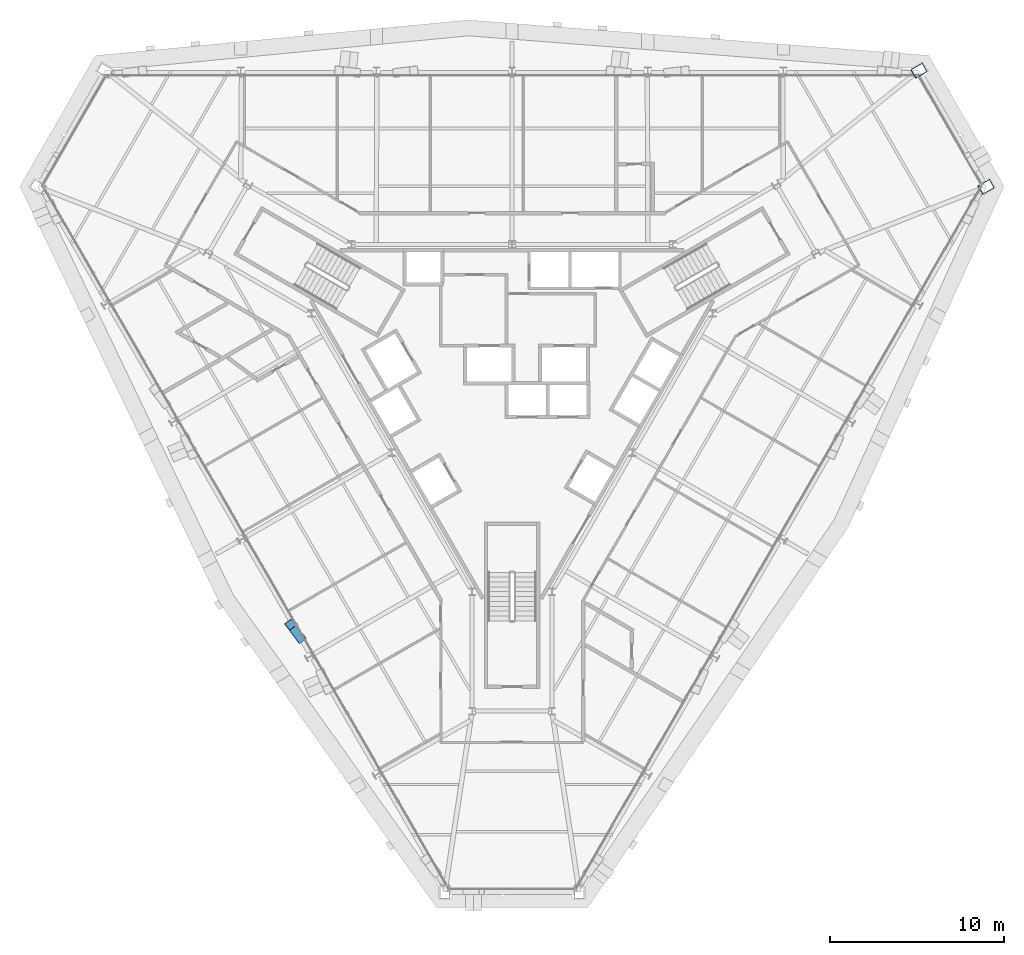
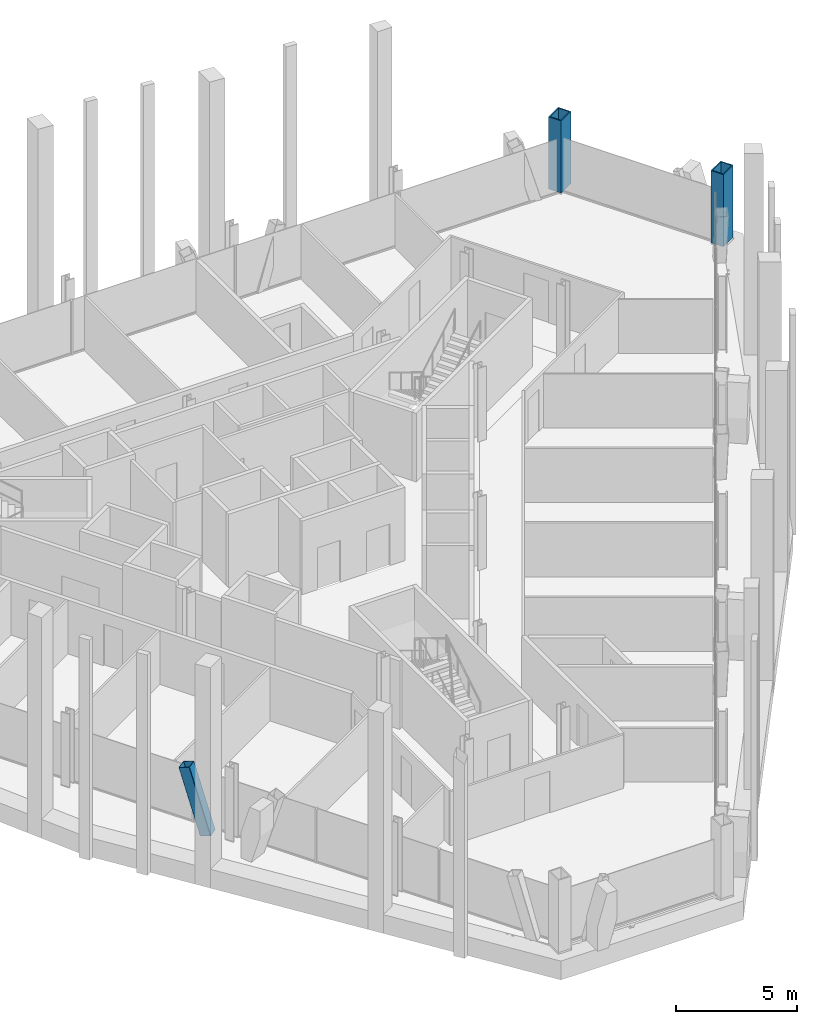
# One storey, part 2 of 17: 2 columns, 1 member.
"""IFC4 building model written with IfcOpenShell, lengths in metres."""

import ifcopenshell
import ifcopenshell.guid

model = None  # the IFC model being written
_history = None  # IfcOwnerHistory: only IFC2X3 demands one
_inside = {}  # id of a spatial element -> (the spatial element, [elements in it])
_under = {}  # id of a project, library or spatial element -> (it, [spatial elements below it])
_declared = {}  # id of a project -> (the project, [libraries it declares])
_typed = {}  # id of a type object -> (the type object, [elements of that type])
_made_of = {}  # id of a material, layer set ... -> (it, [elements and type objects made of it])


def new_model(schema):
    """Start an empty IFC model of exactly this schema.

    Asked for "IFC4X3", IfcOpenShell would pick the latest addendum, in which some entities
    have other attributes; the version numbers below select the first issue.
    IFC2X3 requires an IfcOwnerHistory on every rooted entity: one is made here for all.
    """
    global model, _history
    if schema == "IFC4X3":
        model = ifcopenshell.file(schema_version=(4, 3, 0, 0))
    else:
        model = ifcopenshell.file(schema=schema)
    _inside.clear()
    _under.clear()
    _declared.clear()
    _typed.clear()
    _made_of.clear()
    _history = None
    if model.schema == "IFC2X3":
        org = make("IfcOrganization", Name="unknown")
        user = make(
            "IfcPersonAndOrganization",
            ThePerson=make("IfcPerson", FamilyName="unknown"),
            TheOrganization=org,
        )
        app = make(
            "IfcApplication",
            ApplicationDeveloper=org,
            Version="unknown",
            ApplicationFullName="unknown",
            ApplicationIdentifier="unknown",
        )
        _history = make(
            "IfcOwnerHistory",
            OwningUser=user,
            OwningApplication=app,
            ChangeAction="ADDED",
            CreationDate=0,
        )
    return model


def make(cls, **values):
    """One entity of the class cls with the attributes given. An attribute that is None is left unset."""
    return model.create_entity(
        cls, **{name: value for name, value in values.items() if value is not None}
    )


def rooted(cls, **values):
    """An entity with a GlobalId (a new one), such as an element, a storey or a relation."""
    return make(cls, GlobalId=ifcopenshell.guid.new(), OwnerHistory=_history, **values)


def si_unit(unit_type, name, prefix=None):
    """IfcSIUnit, for example si_unit("LENGTHUNIT", "METRE", prefix="MILLI")."""
    return make("IfcSIUnit", UnitType=unit_type, Prefix=prefix, Name=name)


def assignment(units):
    """IfcUnitAssignment: the units of a project."""
    return None if units is None else make("IfcUnitAssignment", Units=units)


def point(xyz):
    """IfcCartesianPoint."""
    return None if xyz is None else make("IfcCartesianPoint", Coordinates=xyz)


def direction(xyz):
    """IfcDirection."""
    return None if xyz is None else make("IfcDirection", DirectionRatios=xyz)


def frame(location, z_axis=None, x_axis=None):
    """IfcAxis2Placement3D, a coordinate frame: its origin and axes. An axis left out is left unset."""
    return make(
        "IfcAxis2Placement3D",
        Location=point(location),
        Axis=direction(z_axis),
        RefDirection=direction(x_axis),
    )


def frame_2d(location, x_axis=None):
    """IfcAxis2Placement2D, a coordinate frame in the plane: its origin and x axis."""
    return make(
        "IfcAxis2Placement2D", Location=point(location), RefDirection=direction(x_axis)
    )


def origin():
    """The frame at (0, 0, 0) with its axes left unset."""
    return frame((0.0, 0.0, 0.0))


def origin_2d():
    """The frame at (0, 0) in the plane with its x axis left unset."""
    return frame_2d((0.0, 0.0))


def place(relative_to, where):
    """IfcLocalPlacement: puts the frame where relative to a parent placement (None: the world)."""
    return make(
        "IfcLocalPlacement", PlacementRelTo=relative_to, RelativePlacement=where
    )


def context(
    kind, dimensions, precision=None, world=None, true_north=None, identifier=None
):
    """IfcGeometricRepresentationContext, for example the 3D "Model" context."""
    return make(
        "IfcGeometricRepresentationContext",
        ContextIdentifier=identifier,
        ContextType=kind,
        CoordinateSpaceDimension=dimensions,
        Precision=precision,
        WorldCoordinateSystem=world,
        TrueNorth=true_north,
    )


def subcontext(parent, identifier, kind, view, scale=None):
    """IfcGeometricRepresentationSubContext, for example "Body" below "Model"."""
    return make(
        "IfcGeometricRepresentationSubContext",
        ContextIdentifier=identifier,
        ContextType=kind,
        ParentContext=parent,
        TargetScale=scale,
        TargetView=view,
    )


def project(units=None, contexts=None):
    """IfcProject with its units and contexts."""
    return rooted(
        "IfcProject",
        Name="project",
        RepresentationContexts=contexts,
        UnitsInContext=assignment(units),
    )


def spatial(cls, under=None, at=None, **own):
    """A site, building, storey or space (cls), placed at a placement, below another one or the project."""
    s = rooted(cls, ObjectPlacement=at, **own)
    if under is not None:
        _under.setdefault(under.id(), (under, []))[1].append(s)
    return s


def profile(cls, at=None, kind="AREA", **sizes):
    """A parametric profile (cls). Its sizes go by their IFC names, for example OverallWidth=200.0."""
    return make(cls, ProfileType=kind, Position=at, **sizes)


def hollow_rectangle(**sizes):
    """IfcRectangleHollowProfileDef."""
    return profile("IfcRectangleHollowProfileDef", **sizes)


def extrude(swept, where, along, depth):
    """IfcExtrudedAreaSolid: the profile swept, set in the frame where, extruded along a direction by depth."""
    return make(
        "IfcExtrudedAreaSolid",
        SweptArea=swept,
        Position=where,
        ExtrudedDirection=direction(along),
        Depth=depth,
    )


def shape(context_of_items, identifier, shape_type, items):
    """IfcShapeRepresentation: the items that make up one representation, for example the "Body"."""
    return make(
        "IfcShapeRepresentation",
        ContextOfItems=context_of_items,
        RepresentationIdentifier=identifier,
        RepresentationType=shape_type,
        Items=items,
    )


def material(Name=None, Category=None):
    """IfcMaterial."""
    return make("IfcMaterial", Name=Name, Category=Category)


def material_profile(
    of_material, cross_section, Name=None, Category=None, Priority=None
):
    """IfcMaterialProfile: a cross section and its material."""
    return make(
        "IfcMaterialProfile",
        Name=Name,
        Material=of_material,
        Profile=cross_section,
        Priority=Priority,
        Category=Category,
    )


def profile_set(profiles, Name=None, composite=None):
    """IfcMaterialProfileSet."""
    return make(
        "IfcMaterialProfileSet",
        Name=Name,
        MaterialProfiles=profiles,
        CompositeProfile=composite,
    )


def made_of(thing, what):
    """Note that an element or type object is made of a material, layer set ...; save() writes the relation."""
    if what is not None:
        _made_of.setdefault(what.id(), (what, []))[1].append(thing)
    return thing


def type_object(cls, material=None, **own):
    """A type object (cls), such as IfcWallType, which elements share."""
    return made_of(rooted(cls, **own), material)


def element(
    cls,
    number,
    at=None,
    inside=None,
    cuts=None,
    type_object=None,
    material=None,
    context=None,
    identifier="Body",
    shape_type=None,
    held_by="IfcProductDefinitionShape",
    body=None,
    shapes=None,
    **own,
):
    """One element of the class cls, such as IfcWall. Its Tag is "e" and its number.

    at: its placement. inside: the storey or other place that contains it. cuts: it is an
    opening in that element (IfcRelVoidsElement). A single representation is given by context,
    identifier, shape_type and body (its items); several are given by shapes. held_by: the class
    of the entity that holds the representations. save() writes the other relations.
    """
    e = rooted(cls, Tag="e%d" % number, ObjectPlacement=at, **own)
    if body is not None:
        shapes = [shape(context, identifier, shape_type, body)]
    if shapes is not None:
        e.Representation = make(held_by, Representations=shapes)
    if inside is not None:
        _inside.setdefault(inside.id(), (inside, []))[1].append(e)
    if cuts is not None:
        rooted(
            "IfcRelVoidsElement", RelatingBuildingElement=cuts, RelatedOpeningElement=e
        )
    if type_object is not None:
        _typed.setdefault(type_object.id(), (type_object, []))[1].append(e)
    return made_of(e, material)


def aggregate(whole, parts):
    """IfcRelAggregates: a whole, such as a stair, and the parts it consists of."""
    return rooted("IfcRelAggregates", RelatingObject=whole, RelatedObjects=parts)


def save(model, path):
    """Write the relations noted so far, then the file.

    IfcRelAggregates (storeys below a building ...), IfcRelContainedInSpatialStructure (elements
    in a storey), IfcRelDefinesByType, IfcRelAssociatesMaterial and IfcRelDeclares: one each for
    every whole, place, type object, material and project.
    """
    for whole, parts in _under.values():
        aggregate(whole, parts)
    for where, things in _inside.values():
        rooted(
            "IfcRelContainedInSpatialStructure",
            RelatedElements=things,
            RelatingStructure=where,
        )
    for kind, things in _typed.values():
        rooted("IfcRelDefinesByType", RelatedObjects=things, RelatingType=kind)
    for what, things in _made_of.values():
        rooted("IfcRelAssociatesMaterial", RelatedObjects=things, RelatingMaterial=what)
    for by, libraries in _declared.values():
        rooted("IfcRelDeclares", RelatingContext=by, RelatedDefinitions=libraries)
    model.write(path)


model = new_model("IFC4")

# Units and contexts
model_context = context("Model", 3, precision=1e-05, world=origin(), true_north=direction((0.0, 1.0)))
body_context = subcontext(model_context, "Body", "Model", "MODEL_VIEW")
ifc_project = project(units=[si_unit("LENGTHUNIT", "METRE"), si_unit("AREAUNIT", "SQUARE_METRE"), si_unit("VOLUMEUNIT", "CUBIC_METRE"), si_unit("PLANEANGLEUNIT", "RADIAN"), si_unit("MASSUNIT", "GRAM", prefix="KILO")], contexts=[model_context])

# Site, building, storey
site_placement = place(None, origin())
site = spatial("IfcSite", under=ifc_project, at=site_placement, CompositionType="ELEMENT")
building_placement = place(site_placement, origin())
building = spatial("IfcBuilding", under=site, at=building_placement, Name="Verrane Prism Tower", CompositionType="ELEMENT")
storey_placement = place(building_placement, frame((0.0, 0.0, 178.39990234375)))
storey = spatial("IfcBuildingStorey", under=building, at=storey_placement, Name="L44", CompositionType="ELEMENT", Elevation=178.39990234375)

# Columns
ifc_material_1 = material(Name="Steel A572 Grade 50", Category="steel")
ifc_material_profile_1 = material_profile(ifc_material_1, hollow_rectangle(XDim=0.60009765625, YDim=0.800048828125, WallThickness=0.050048828125, at=origin_2d()), Name="BOX 800x600x50")
ifc_profile_set_1 = profile_set([ifc_material_profile_1], Name="Steel A572 Grade 50")
column_type = type_object("IfcColumnType", Name="Megacolumn BOX 800x600x50", PredefinedType="COLUMN", material=ifc_profile_set_1)
for number, where, z_axis, x_axis, name in (
    (1, (23.449951171875, 18.010009765625, 0.065185546875), (0.0, 0.0, 1.0), (0.5, -0.866025403784, 0.0), "Megacolumn MC-NE.b L44"),
    (2, (27.320068359375, 11.31005859375, 0.065185546875), (0.0, 0.0, 1.0), (0.5, -0.866025403784, 0.0), "Megacolumn MC-NE.a L44"),
):
    element("IfcColumn", number, at=place(storey_placement, frame(where, z_axis=z_axis, x_axis=x_axis)), inside=storey, type_object=column_type, Name=name, PredefinedType="COLUMN", context=body_context, shape_type="SweptSolid", body=[
        extrude(hollow_rectangle(XDim=0.60009765625, YDim=0.800048828125, WallThickness=0.050048828125, at=origin_2d()), origin(), (0.0, 0.0, 1.0), 3.635009765625),
    ])

# Member
ifc_material_2 = material(Name="Steel A500 Grade C", Category="steel")
ifc_material_profile_2 = material_profile(ifc_material_2, hollow_rectangle(XDim=0.508056640625, YDim=0.508056640625, WallThickness=0.01904296875, InnerFilletRadius=0.009521484375, OuterFilletRadius=0.028564453125, at=origin_2d()), Name="HSS20x20x3/4")
ifc_profile_set_2 = profile_set([ifc_material_profile_2], Name="Steel A500 Grade C")
member_type = type_object("IfcMemberType", Name="Facade brace HSS20x20x3/4", PredefinedType="BRACE", material=ifc_profile_set_2)
member_placement = place(storey_placement, frame((-12.1953125, -14.67333984375, -0.216552734375), z_axis=(-0.17221742243, 0.228720546151, 0.958137814294), x_axis=(-0.798863543251, -0.601512293527, 0.0)))
element("IfcMember", 3, at=member_placement, inside=storey, type_object=member_type, Name="Facade brace SW3 L44", PredefinedType="BRACE", context=body_context, shape_type="SweptSolid", body=[
    extrude(hollow_rectangle(XDim=0.508056640625, YDim=0.508056640625, WallThickness=0.01904296875, InnerFilletRadius=0.009521484375, OuterFilletRadius=0.028564453125, at=origin_2d()), origin(), (0.0, 0.0, 1.0), 3.335693359375),
])

save(model, "model.ifc")
